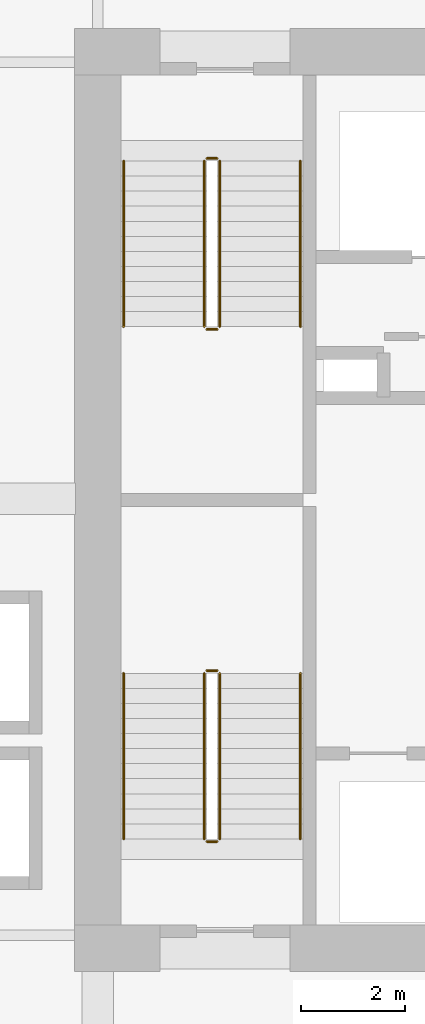
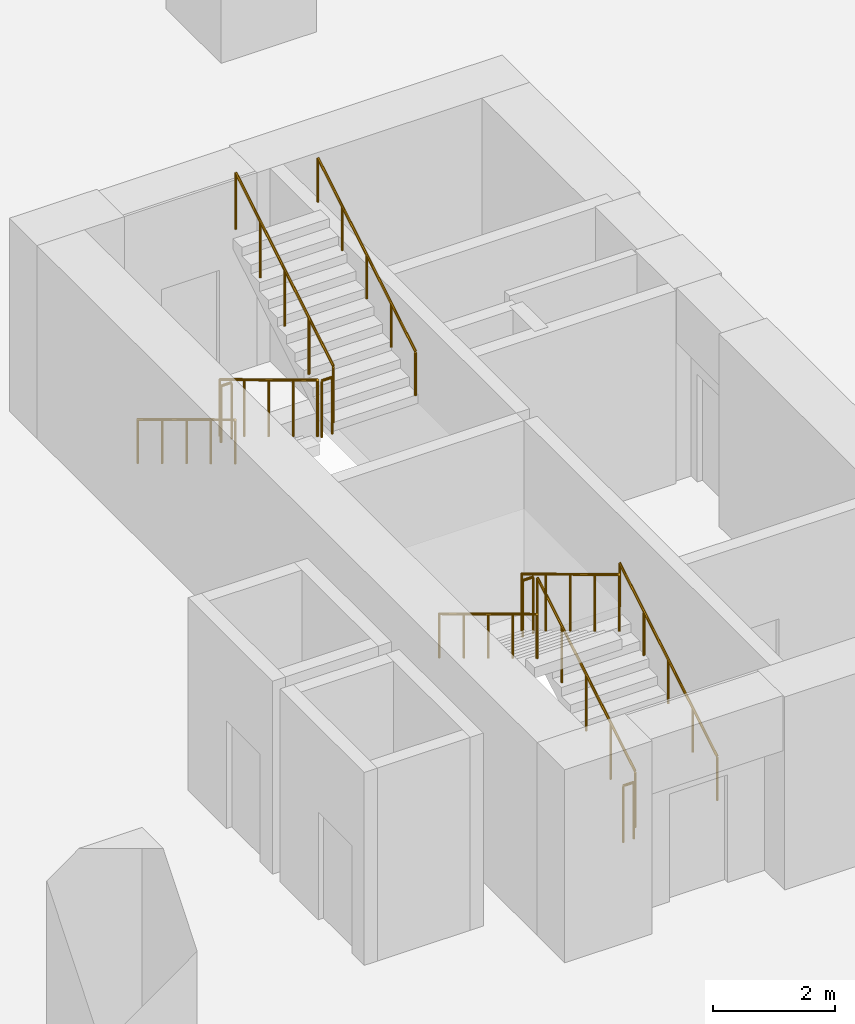
# One storey, part 13 of 13: 12 railings.
"""IFC4 building model written with IfcOpenShell, lengths in metres."""

import ifcopenshell
import ifcopenshell.guid

model = None  # the IFC model being written
_history = None  # IfcOwnerHistory: only IFC2X3 demands one
_inside = {}  # id of a spatial element -> (the spatial element, [elements in it])
_under = {}  # id of a project, library or spatial element -> (it, [spatial elements below it])
_declared = {}  # id of a project -> (the project, [libraries it declares])
_typed = {}  # id of a type object -> (the type object, [elements of that type])
_made_of = {}  # id of a material, layer set ... -> (it, [elements and type objects made of it])


def new_model(schema):
    """Start an empty IFC model of exactly this schema.

    Asked for "IFC4X3", IfcOpenShell would pick the latest addendum, in which some entities
    have other attributes; the version numbers below select the first issue.
    IFC2X3 requires an IfcOwnerHistory on every rooted entity: one is made here for all.
    """
    global model, _history
    if schema == "IFC4X3":
        model = ifcopenshell.file(schema_version=(4, 3, 0, 0))
    else:
        model = ifcopenshell.file(schema=schema)
    _inside.clear()
    _under.clear()
    _declared.clear()
    _typed.clear()
    _made_of.clear()
    _history = None
    if model.schema == "IFC2X3":
        org = make("IfcOrganization", Name="unknown")
        user = make(
            "IfcPersonAndOrganization",
            ThePerson=make("IfcPerson", FamilyName="unknown"),
            TheOrganization=org,
        )
        app = make(
            "IfcApplication",
            ApplicationDeveloper=org,
            Version="unknown",
            ApplicationFullName="unknown",
            ApplicationIdentifier="unknown",
        )
        _history = make(
            "IfcOwnerHistory",
            OwningUser=user,
            OwningApplication=app,
            ChangeAction="ADDED",
            CreationDate=0,
        )
    return model


def make(cls, **values):
    """One entity of the class cls with the attributes given. An attribute that is None is left unset."""
    return model.create_entity(
        cls, **{name: value for name, value in values.items() if value is not None}
    )


def rooted(cls, **values):
    """An entity with a GlobalId (a new one), such as an element, a storey or a relation."""
    return make(cls, GlobalId=ifcopenshell.guid.new(), OwnerHistory=_history, **values)


def si_unit(unit_type, name, prefix=None):
    """IfcSIUnit, for example si_unit("LENGTHUNIT", "METRE", prefix="MILLI")."""
    return make("IfcSIUnit", UnitType=unit_type, Prefix=prefix, Name=name)


def assignment(units):
    """IfcUnitAssignment: the units of a project."""
    return None if units is None else make("IfcUnitAssignment", Units=units)


def point(xyz):
    """IfcCartesianPoint."""
    return None if xyz is None else make("IfcCartesianPoint", Coordinates=xyz)


def direction(xyz):
    """IfcDirection."""
    return None if xyz is None else make("IfcDirection", DirectionRatios=xyz)


def frame(location, z_axis=None, x_axis=None):
    """IfcAxis2Placement3D, a coordinate frame: its origin and axes. An axis left out is left unset."""
    return make(
        "IfcAxis2Placement3D",
        Location=point(location),
        Axis=direction(z_axis),
        RefDirection=direction(x_axis),
    )


def frame_2d(location, x_axis=None):
    """IfcAxis2Placement2D, a coordinate frame in the plane: its origin and x axis."""
    return make(
        "IfcAxis2Placement2D", Location=point(location), RefDirection=direction(x_axis)
    )


def origin():
    """The frame at (0, 0, 0) with its axes left unset."""
    return frame((0.0, 0.0, 0.0))


def origin_2d():
    """The frame at (0, 0) in the plane with its x axis left unset."""
    return frame_2d((0.0, 0.0))


def place(relative_to, where):
    """IfcLocalPlacement: puts the frame where relative to a parent placement (None: the world)."""
    return make(
        "IfcLocalPlacement", PlacementRelTo=relative_to, RelativePlacement=where
    )


def context(
    kind, dimensions, precision=None, world=None, true_north=None, identifier=None
):
    """IfcGeometricRepresentationContext, for example the 3D "Model" context."""
    return make(
        "IfcGeometricRepresentationContext",
        ContextIdentifier=identifier,
        ContextType=kind,
        CoordinateSpaceDimension=dimensions,
        Precision=precision,
        WorldCoordinateSystem=world,
        TrueNorth=true_north,
    )


def subcontext(parent, identifier, kind, view, scale=None):
    """IfcGeometricRepresentationSubContext, for example "Body" below "Model"."""
    return make(
        "IfcGeometricRepresentationSubContext",
        ContextIdentifier=identifier,
        ContextType=kind,
        ParentContext=parent,
        TargetScale=scale,
        TargetView=view,
    )


def project(units=None, contexts=None):
    """IfcProject with its units and contexts."""
    return rooted(
        "IfcProject",
        Name="project",
        RepresentationContexts=contexts,
        UnitsInContext=assignment(units),
    )


def spatial(cls, under=None, at=None, **own):
    """A site, building, storey or space (cls), placed at a placement, below another one or the project."""
    s = rooted(cls, ObjectPlacement=at, **own)
    if under is not None:
        _under.setdefault(under.id(), (under, []))[1].append(s)
    return s


def profile(cls, at=None, kind="AREA", **sizes):
    """A parametric profile (cls). Its sizes go by their IFC names, for example OverallWidth=200.0."""
    return make(cls, ProfileType=kind, Position=at, **sizes)


def circle(**sizes):
    """IfcCircleProfileDef."""
    return profile("IfcCircleProfileDef", **sizes)


def extrude(swept, where, along, depth):
    """IfcExtrudedAreaSolid: the profile swept, set in the frame where, extruded along a direction by depth."""
    return make(
        "IfcExtrudedAreaSolid",
        SweptArea=swept,
        Position=where,
        ExtrudedDirection=direction(along),
        Depth=depth,
    )


def shape(context_of_items, identifier, shape_type, items):
    """IfcShapeRepresentation: the items that make up one representation, for example the "Body"."""
    return make(
        "IfcShapeRepresentation",
        ContextOfItems=context_of_items,
        RepresentationIdentifier=identifier,
        RepresentationType=shape_type,
        Items=items,
    )


def material(Name=None, Category=None):
    """IfcMaterial."""
    return make("IfcMaterial", Name=Name, Category=Category)


def made_of(thing, what):
    """Note that an element or type object is made of a material, layer set ...; save() writes the relation."""
    if what is not None:
        _made_of.setdefault(what.id(), (what, []))[1].append(thing)
    return thing


def type_object(cls, material=None, **own):
    """A type object (cls), such as IfcWallType, which elements share."""
    return made_of(rooted(cls, **own), material)


def element(
    cls,
    number,
    at=None,
    inside=None,
    cuts=None,
    type_object=None,
    material=None,
    context=None,
    identifier="Body",
    shape_type=None,
    held_by="IfcProductDefinitionShape",
    body=None,
    shapes=None,
    **own,
):
    """One element of the class cls, such as IfcWall. Its Tag is "e" and its number.

    at: its placement. inside: the storey or other place that contains it. cuts: it is an
    opening in that element (IfcRelVoidsElement). A single representation is given by context,
    identifier, shape_type and body (its items); several are given by shapes. held_by: the class
    of the entity that holds the representations. save() writes the other relations.
    """
    e = rooted(cls, Tag="e%d" % number, ObjectPlacement=at, **own)
    if body is not None:
        shapes = [shape(context, identifier, shape_type, body)]
    if shapes is not None:
        e.Representation = make(held_by, Representations=shapes)
    if inside is not None:
        _inside.setdefault(inside.id(), (inside, []))[1].append(e)
    if cuts is not None:
        rooted(
            "IfcRelVoidsElement", RelatingBuildingElement=cuts, RelatedOpeningElement=e
        )
    if type_object is not None:
        _typed.setdefault(type_object.id(), (type_object, []))[1].append(e)
    return made_of(e, material)


def aggregate(whole, parts):
    """IfcRelAggregates: a whole, such as a stair, and the parts it consists of."""
    return rooted("IfcRelAggregates", RelatingObject=whole, RelatedObjects=parts)


def save(model, path):
    """Write the relations noted so far, then the file.

    IfcRelAggregates (storeys below a building ...), IfcRelContainedInSpatialStructure (elements
    in a storey), IfcRelDefinesByType, IfcRelAssociatesMaterial and IfcRelDeclares: one each for
    every whole, place, type object, material and project.
    """
    for whole, parts in _under.values():
        aggregate(whole, parts)
    for where, things in _inside.values():
        rooted(
            "IfcRelContainedInSpatialStructure",
            RelatedElements=things,
            RelatingStructure=where,
        )
    for kind, things in _typed.values():
        rooted("IfcRelDefinesByType", RelatedObjects=things, RelatingType=kind)
    for what, things in _made_of.values():
        rooted("IfcRelAssociatesMaterial", RelatedObjects=things, RelatingMaterial=what)
    for by, libraries in _declared.values():
        rooted("IfcRelDeclares", RelatingContext=by, RelatedDefinitions=libraries)
    model.write(path)


model = new_model("IFC4")

# Units and contexts
model_context = context("Model", 3, precision=1e-05, world=origin(), true_north=direction((0.0, 1.0)))
body_context = subcontext(model_context, "Body", "Model", "MODEL_VIEW")
ifc_project = project(units=[si_unit("LENGTHUNIT", "METRE"), si_unit("AREAUNIT", "SQUARE_METRE"), si_unit("VOLUMEUNIT", "CUBIC_METRE"), si_unit("PLANEANGLEUNIT", "RADIAN"), si_unit("MASSUNIT", "GRAM", prefix="KILO")], contexts=[model_context])

# Site, building, storey
site_placement = place(None, origin())
site = spatial("IfcSite", under=ifc_project, at=site_placement, CompositionType="ELEMENT")
building_placement = place(site_placement, origin())
building = spatial("IfcBuilding", under=site, at=building_placement, Name="Koriwani Terraces Tower", CompositionType="ELEMENT")
storey_placement = place(building_placement, frame((0.0, 0.0, -4.199951171875)))
storey = spatial("IfcBuildingStorey", under=building, at=storey_placement, Name="B01", CompositionType="ELEMENT", Elevation=-4.199951171875)

# Railings
ifc_material = material(Name="Steel ASTM A572 Grade 50", Category="steel")
railing_type_1 = type_object("IfcRailingType", Name="GUARD_STAIR_WELL_1120", PredefinedType="GUARDRAIL", material=ifc_material)
railing_1_placement = place(storey_placement, frame((19.14990234375, 43.85009765625, 0.175048828125)))
element("IfcRailing", 1, at=railing_1_placement, inside=storey, type_object=railing_type_1, Name="B01 ST-W1 stair guard 1", PredefinedType="GUARDRAIL", context=body_context, shape_type="SweptSolid", body=[
    extrude(circle(Radius=0.02392578125, at=origin_2d()), frame((0.0, 0.0, 1.1259765625), z_axis=(0.0, 0.856206652436, 0.516633495163), x_axis=(-1.0, 0.0, 0.0)), (0.0, 0.0, 1.0), 3.7255859375),
    extrude(circle(Radius=0.02099609375, at=origin_2d()), origin(), (0.0, 0.0, 1.0), 1.101806640625),
    extrude(circle(Radius=0.02099609375, at=origin_2d()), frame((0.0, 0.79736328125, 0.481201171875)), (0.0, 0.0, 1.0), 1.101806640625),
    extrude(circle(Radius=0.02099609375, at=origin_2d()), frame((0.0, 1.594970703125, 0.96240234375)), (0.0, 0.0, 1.0), 1.101806640625),
    extrude(circle(Radius=0.02099609375, at=origin_2d()), frame((0.0, 2.392578125, 1.443603515625)), (0.0, 0.0, 1.0), 1.101806640625),
    extrude(circle(Radius=0.02099609375, at=origin_2d()), frame((0.0, 3.18994140625, 1.9248046875)), (0.0, 0.0, 1.0), 1.101806640625),
])
railing_2_placement = place(storey_placement, frame((19.10009765625, 47.090087890625, 2.099853515625)))
element("IfcRailing", 2, at=railing_2_placement, inside=storey, type_object=railing_type_1, Name="B01 ST-W1 stair guard 2", PredefinedType="GUARDRAIL", context=body_context, shape_type="SweptSolid", body=[
    extrude(circle(Radius=0.02392578125, at=origin_2d()), frame((0.0, 0.0, 1.1259765625), z_axis=(-1.0, 0.0, 0.0), x_axis=(0.0, -1.0, 0.0)), (0.0, 0.0, 1.0), 0.2001953125),
    extrude(circle(Radius=0.02099609375, at=origin_2d()), origin(), (0.0, 0.0, 1.0), 1.101806640625),
    extrude(circle(Radius=0.02099609375, at=origin_2d()), frame((-0.2001953125, 0.0, 0.0)), (0.0, 0.0, 1.0), 1.101806640625),
])
railing_3_placement = place(storey_placement, frame((18.85009765625, 47.0400390625, 2.27490234375)))
element("IfcRailing", 3, at=railing_3_placement, inside=storey, type_object=railing_type_1, Name="B01 ST-W1 stair guard 3", PredefinedType="GUARDRAIL", context=body_context, shape_type="SweptSolid", body=[
    extrude(circle(Radius=0.02392578125, at=origin_2d()), frame((0.0, 0.0, 1.1259765625), z_axis=(0.0, -0.856177665481, 0.516681531633), x_axis=(1.0, 0.0, 0.0)), (0.0, 0.0, 1.0), 3.725830078125),
    extrude(circle(Radius=0.02099609375, at=origin_2d()), origin(), (0.0, 0.0, 1.0), 1.101806640625),
    extrude(circle(Radius=0.02099609375, at=origin_2d()), frame((0.0, -0.79736328125, 0.481201171875)), (0.0, 0.0, 1.0), 1.101806640625),
    extrude(circle(Radius=0.02099609375, at=origin_2d()), frame((0.0, -1.594970703125, 0.96240234375)), (0.0, 0.0, 1.0), 1.101806640625),
    extrude(circle(Radius=0.02099609375, at=origin_2d()), frame((0.0, -2.392578125, 1.44384765625)), (0.0, 0.0, 1.0), 1.101806640625),
    extrude(circle(Radius=0.02099609375, at=origin_2d()), frame((0.0, -3.18994140625, 1.925048828125)), (0.0, 0.0, 1.0), 1.101806640625),
])
railing_4_placement = place(storey_placement, frame((19.10009765625, 43.800048828125, 0.0)))
element("IfcRailing", 4, at=railing_4_placement, inside=storey, type_object=railing_type_1, Name="B01 ST-W1 stair guard 4", PredefinedType="GUARDRAIL", context=body_context, shape_type="SweptSolid", body=[
    extrude(circle(Radius=0.02392578125, at=origin_2d()), frame((0.0, 0.0, 1.1259765625), z_axis=(-1.0, 0.0, 0.0), x_axis=(0.0, -1.0, 0.0)), (0.0, 0.0, 1.0), 0.2001953125),
    extrude(circle(Radius=0.02099609375, at=origin_2d()), origin(), (0.0, 0.0, 1.0), 1.101806640625),
    extrude(circle(Radius=0.02099609375, at=origin_2d()), frame((-0.2001953125, 0.0, 0.0)), (0.0, 0.0, 1.0), 1.101806640625),
])
railing_5_placement = place(storey_placement, frame((18.85009765625, 56.89990234375, 0.175048828125)))
element("IfcRailing", 5, at=railing_5_placement, inside=storey, type_object=railing_type_1, Name="B01 ST-W2 stair guard 1", PredefinedType="GUARDRAIL", context=body_context, shape_type="SweptSolid", body=[
    extrude(circle(Radius=0.02392578125, at=origin_2d()), frame((0.0, 0.0, 1.1259765625), z_axis=(0.0, -0.856206652436, 0.516633495163), x_axis=(1.0, 0.0, 0.0)), (0.0, 0.0, 1.0), 3.7255859375),
    extrude(circle(Radius=0.02099609375, at=origin_2d()), origin(), (0.0, 0.0, 1.0), 1.101806640625),
    extrude(circle(Radius=0.02099609375, at=origin_2d()), frame((0.0, -0.79736328125, 0.481201171875)), (0.0, 0.0, 1.0), 1.101806640625),
    extrude(circle(Radius=0.02099609375, at=origin_2d()), frame((0.0, -1.594970703125, 0.96240234375)), (0.0, 0.0, 1.0), 1.101806640625),
    extrude(circle(Radius=0.02099609375, at=origin_2d()), frame((0.0, -2.392578125, 1.443603515625)), (0.0, 0.0, 1.0), 1.101806640625),
    extrude(circle(Radius=0.02099609375, at=origin_2d()), frame((0.0, -3.18994140625, 1.9248046875)), (0.0, 0.0, 1.0), 1.101806640625),
])
railing_6_placement = place(storey_placement, frame((18.89990234375, 53.659912109375, 2.099853515625)))
element("IfcRailing", 6, at=railing_6_placement, inside=storey, type_object=railing_type_1, Name="B01 ST-W2 stair guard 2", PredefinedType="GUARDRAIL", context=body_context, shape_type="SweptSolid", body=[
    extrude(circle(Radius=0.02392578125, at=origin_2d()), frame((0.0, 0.0, 1.1259765625), z_axis=(1.0, 0.0, 0.0), x_axis=(0.0, 1.0, 0.0)), (0.0, 0.0, 1.0), 0.2001953125),
    extrude(circle(Radius=0.02099609375, at=origin_2d()), origin(), (0.0, 0.0, 1.0), 1.101806640625),
    extrude(circle(Radius=0.02099609375, at=origin_2d()), frame((0.2001953125, 0.0, 0.0)), (0.0, 0.0, 1.0), 1.101806640625),
])
railing_7_placement = place(storey_placement, frame((19.14990234375, 53.7099609375, 2.27490234375)))
element("IfcRailing", 7, at=railing_7_placement, inside=storey, type_object=railing_type_1, Name="B01 ST-W2 stair guard 3", PredefinedType="GUARDRAIL", context=body_context, shape_type="SweptSolid", body=[
    extrude(circle(Radius=0.02392578125, at=origin_2d()), frame((0.0, 0.0, 1.1259765625), z_axis=(0.0, 0.856177665481, 0.516681531633), x_axis=(-1.0, 0.0, 0.0)), (0.0, 0.0, 1.0), 3.725830078125),
    extrude(circle(Radius=0.02099609375, at=origin_2d()), origin(), (0.0, 0.0, 1.0), 1.101806640625),
    extrude(circle(Radius=0.02099609375, at=origin_2d()), frame((0.0, 0.79736328125, 0.481201171875)), (0.0, 0.0, 1.0), 1.101806640625),
    extrude(circle(Radius=0.02099609375, at=origin_2d()), frame((0.0, 1.594970703125, 0.96240234375)), (0.0, 0.0, 1.0), 1.101806640625),
    extrude(circle(Radius=0.02099609375, at=origin_2d()), frame((0.0, 2.392578125, 1.44384765625)), (0.0, 0.0, 1.0), 1.101806640625),
    extrude(circle(Radius=0.02099609375, at=origin_2d()), frame((0.0, 3.18994140625, 1.925048828125)), (0.0, 0.0, 1.0), 1.101806640625),
])
railing_8_placement = place(storey_placement, frame((18.89990234375, 56.949951171875, 0.0)))
element("IfcRailing", 8, at=railing_8_placement, inside=storey, type_object=railing_type_1, Name="B01 ST-W2 stair guard 4", PredefinedType="GUARDRAIL", context=body_context, shape_type="SweptSolid", body=[
    extrude(circle(Radius=0.02392578125, at=origin_2d()), frame((0.0, 0.0, 1.1259765625), z_axis=(1.0, 0.0, 0.0), x_axis=(0.0, 1.0, 0.0)), (0.0, 0.0, 1.0), 0.2001953125),
    extrude(circle(Radius=0.02099609375, at=origin_2d()), origin(), (0.0, 0.0, 1.0), 1.101806640625),
    extrude(circle(Radius=0.02099609375, at=origin_2d()), frame((0.2001953125, 0.0, 0.0)), (0.0, 0.0, 1.0), 1.101806640625),
])
railing_type_2 = type_object("IfcRailingType", Name="HANDRAIL_STAIR_920", PredefinedType="HANDRAIL", material=ifc_material)
railing_9_placement = place(storey_placement, frame((20.699951171875, 43.85009765625, 0.175048828125)))
element("IfcRailing", 9, at=railing_9_placement, inside=storey, type_object=railing_type_2, Name="B01 ST-W1 stair handrail 1", PredefinedType="HANDRAIL", context=body_context, shape_type="SweptSolid", body=[
    extrude(circle(Radius=0.02392578125, at=origin_2d()), frame((0.0, 0.0, 0.8759765625), z_axis=(0.0, 0.856206652436, 0.516633495163), x_axis=(-1.0, 0.0, 0.0)), (0.0, 0.0, 1.0), 3.7255859375),
    extrude(circle(Radius=0.02099609375, at=origin_2d()), origin(), (0.0, 0.0, 1.0), 0.851806640625),
    extrude(circle(Radius=0.02099609375, at=origin_2d()), frame((0.0, 0.79736328125, 0.481201171875)), (0.0, 0.0, 1.0), 0.851806640625),
    extrude(circle(Radius=0.02099609375, at=origin_2d()), frame((0.0, 1.594970703125, 0.96240234375)), (0.0, 0.0, 1.0), 0.851806640625),
    extrude(circle(Radius=0.02099609375, at=origin_2d()), frame((0.0, 2.392578125, 1.443603515625)), (0.0, 0.0, 1.0), 0.851806640625),
    extrude(circle(Radius=0.02099609375, at=origin_2d()), frame((0.0, 3.18994140625, 1.9248046875)), (0.0, 0.0, 1.0), 0.851806640625),
])
railing_10_placement = place(storey_placement, frame((17.300048828125, 47.0400390625, 2.27490234375)))
element("IfcRailing", 10, at=railing_10_placement, inside=storey, type_object=railing_type_2, Name="B01 ST-W1 stair handrail 2", PredefinedType="HANDRAIL", context=body_context, shape_type="SweptSolid", body=[
    extrude(circle(Radius=0.02392578125, at=origin_2d()), frame((0.0, 0.0, 0.8759765625), z_axis=(0.0, -0.856177665481, 0.516681531633), x_axis=(1.0, 0.0, 0.0)), (0.0, 0.0, 1.0), 3.725830078125),
    extrude(circle(Radius=0.02099609375, at=origin_2d()), origin(), (0.0, 0.0, 1.0), 0.851806640625),
    extrude(circle(Radius=0.02099609375, at=origin_2d()), frame((0.0, -0.79736328125, 0.481201171875)), (0.0, 0.0, 1.0), 0.851806640625),
    extrude(circle(Radius=0.02099609375, at=origin_2d()), frame((0.0, -1.594970703125, 0.96240234375)), (0.0, 0.0, 1.0), 0.851806640625),
    extrude(circle(Radius=0.02099609375, at=origin_2d()), frame((0.0, -2.392578125, 1.44384765625)), (0.0, 0.0, 1.0), 0.851806640625),
    extrude(circle(Radius=0.02099609375, at=origin_2d()), frame((0.0, -3.18994140625, 1.925048828125)), (0.0, 0.0, 1.0), 0.851806640625),
])
railing_11_placement = place(storey_placement, frame((17.300048828125, 56.89990234375, 0.175048828125)))
element("IfcRailing", 11, at=railing_11_placement, inside=storey, type_object=railing_type_2, Name="B01 ST-W2 stair handrail 1", PredefinedType="HANDRAIL", context=body_context, shape_type="SweptSolid", body=[
    extrude(circle(Radius=0.02392578125, at=origin_2d()), frame((0.0, 0.0, 0.8759765625), z_axis=(0.0, -0.856206652436, 0.516633495163), x_axis=(1.0, 0.0, 0.0)), (0.0, 0.0, 1.0), 3.7255859375),
    extrude(circle(Radius=0.02099609375, at=origin_2d()), origin(), (0.0, 0.0, 1.0), 0.851806640625),
    extrude(circle(Radius=0.02099609375, at=origin_2d()), frame((0.0, -0.79736328125, 0.481201171875)), (0.0, 0.0, 1.0), 0.851806640625),
    extrude(circle(Radius=0.02099609375, at=origin_2d()), frame((0.0, -1.594970703125, 0.96240234375)), (0.0, 0.0, 1.0), 0.851806640625),
    extrude(circle(Radius=0.02099609375, at=origin_2d()), frame((0.0, -2.392578125, 1.443603515625)), (0.0, 0.0, 1.0), 0.851806640625),
    extrude(circle(Radius=0.02099609375, at=origin_2d()), frame((0.0, -3.18994140625, 1.9248046875)), (0.0, 0.0, 1.0), 0.851806640625),
])
railing_12_placement = place(storey_placement, frame((20.699951171875, 53.7099609375, 2.27490234375)))
element("IfcRailing", 12, at=railing_12_placement, inside=storey, type_object=railing_type_2, Name="B01 ST-W2 stair handrail 2", PredefinedType="HANDRAIL", context=body_context, shape_type="SweptSolid", body=[
    extrude(circle(Radius=0.02392578125, at=origin_2d()), frame((0.0, 0.0, 0.8759765625), z_axis=(0.0, 0.856177665481, 0.516681531633), x_axis=(-1.0, 0.0, 0.0)), (0.0, 0.0, 1.0), 3.725830078125),
    extrude(circle(Radius=0.02099609375, at=origin_2d()), origin(), (0.0, 0.0, 1.0), 0.851806640625),
    extrude(circle(Radius=0.02099609375, at=origin_2d()), frame((0.0, 0.79736328125, 0.481201171875)), (0.0, 0.0, 1.0), 0.851806640625),
    extrude(circle(Radius=0.02099609375, at=origin_2d()), frame((0.0, 1.594970703125, 0.96240234375)), (0.0, 0.0, 1.0), 0.851806640625),
    extrude(circle(Radius=0.02099609375, at=origin_2d()), frame((0.0, 2.392578125, 1.44384765625)), (0.0, 0.0, 1.0), 0.851806640625),
    extrude(circle(Radius=0.02099609375, at=origin_2d()), frame((0.0, 3.18994140625, 1.925048828125)), (0.0, 0.0, 1.0), 0.851806640625),
])

save(model, "model.ifc")
